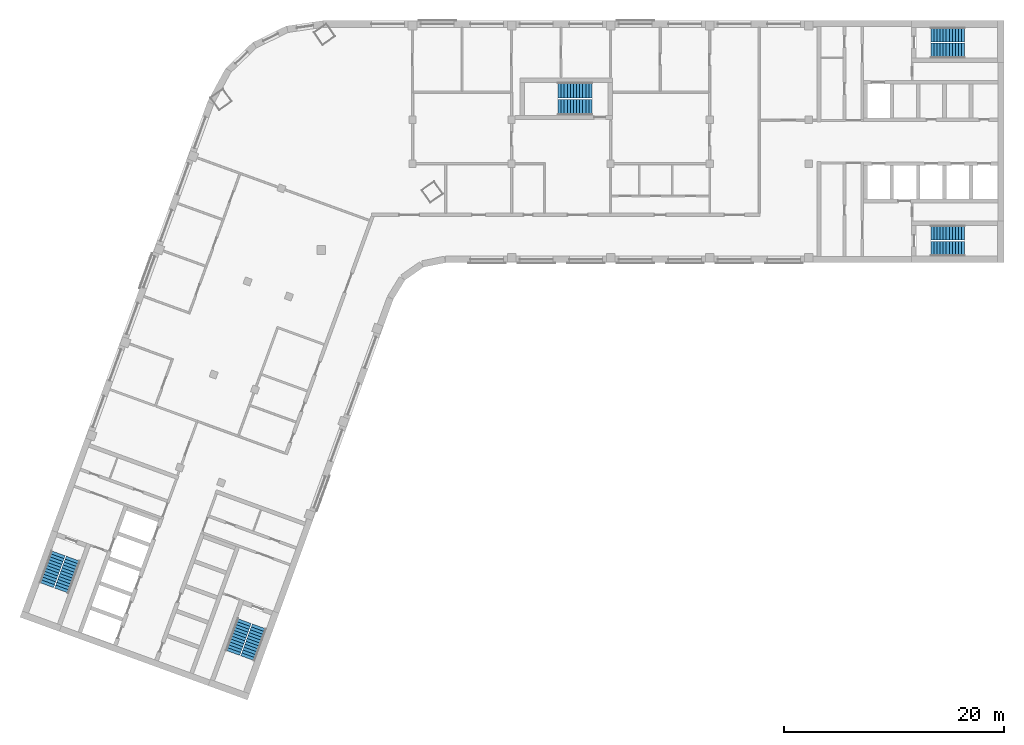
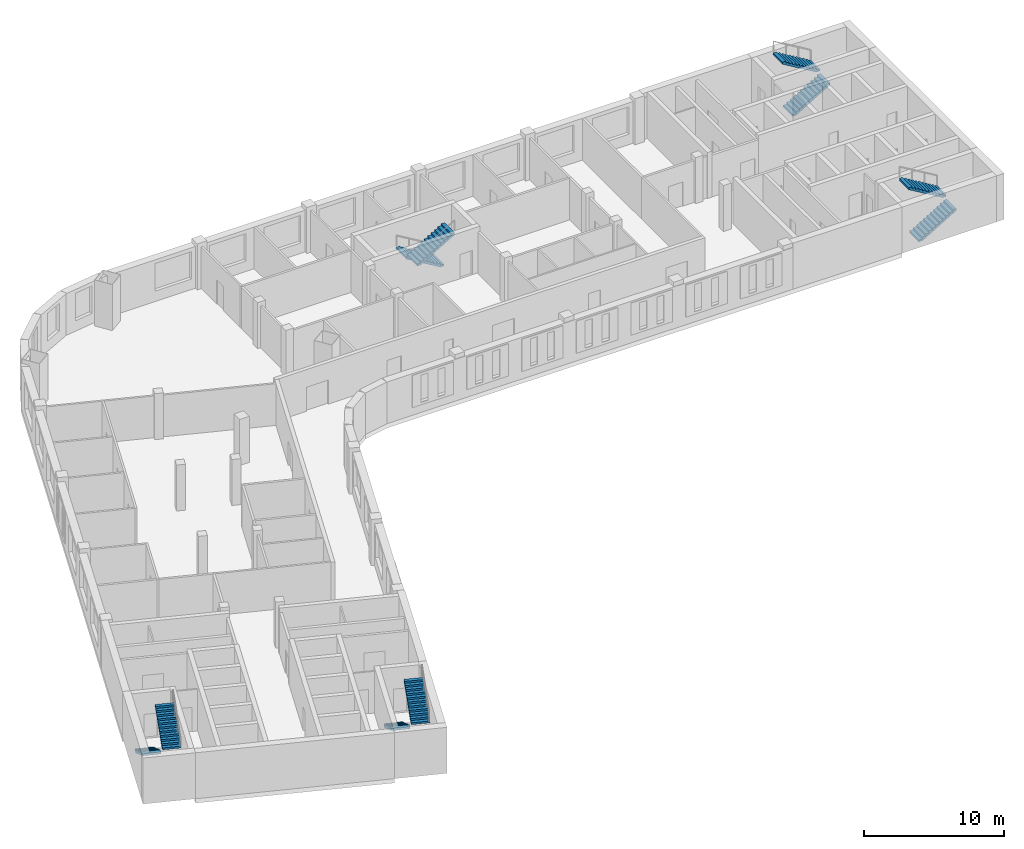
# One storey, part 8 of 9: 10 stair flights, 5 elements without a shape of their own.
"""IFC4 building model written with IfcOpenShell, lengths in metres."""

from ifc_helpers import new_model, si_unit, direction, frame, origin, place, context, subcontext, project, spatial, polyline, outline, extrude, material, type_object, element, aggregate, save


model = new_model("IFC4")

# Units and contexts
model_context = context("Model", 3, precision=1e-05, world=origin(), true_north=direction((0.0, 1.0)))
body_context = subcontext(model_context, "Body", "Model", "MODEL_VIEW")
ifc_project = project(units=[si_unit("LENGTHUNIT", "METRE"), si_unit("AREAUNIT", "SQUARE_METRE"), si_unit("VOLUMEUNIT", "CUBIC_METRE"), si_unit("PLANEANGLEUNIT", "RADIAN"), si_unit("MASSUNIT", "GRAM", prefix="KILO")], contexts=[model_context])

# Site, building, storey
site_placement = place(None, origin())
site = spatial("IfcSite", under=ifc_project, at=site_placement, CompositionType="ELEMENT")
building_placement = place(site_placement, origin())
building = spatial("IfcBuilding", under=site, at=building_placement, Name="Skarvind Civic Tower", CompositionType="ELEMENT")
storey_placement = place(building_placement, frame((0.0, 0.0, 158.5)))
storey = spatial("IfcBuildingStorey", under=building, at=storey_placement, Name="L37", CompositionType="ELEMENT", Elevation=158.5)

# Stair, stair flights
ifc_material = material(Name="Concrete C40/50", Category="concrete")
stair_type_1 = type_object("IfcStairType", Name="Exit stair 1450, half-turn, concrete", PredefinedType="HALF_TURN_STAIR", material=ifc_material)
stair_1_placement = place(storey_placement, origin())
stair_1 = element("IfcStair", 1, at=stair_1_placement, inside=storey, type_object=stair_type_1, Name="Exit stair CM", PredefinedType="HALF_TURN_STAIR")
stair_flight_type_1 = type_object("IfcStairFlightType", Name="Stair flight 1450, concrete", PredefinedType="STRAIGHT", material=ifc_material)
stair_flight_1_placement = place(storey_placement, frame((70.550048828125, 132.675048828125, 0.0), z_axis=(0.0, 0.0, 1.0), x_axis=(-1.0, 0.0, 0.0)))
stair_flight_1 = element("IfcStairFlight", 2, at=stair_flight_1_placement, type_object=stair_flight_type_1, Name="ST-CM flight 1", NumberOfRisers=12, NumberOfTreads=11, PredefinedType="STRAIGHT", RiserHeight=0.166666667, TreadLength=0.28, context=body_context, shape_type="SweptSolid", body=[
    extrude(outline(polyline([(0.0, 0.0), (0.0, 0.166748046875), (0.280029296875, 0.166748046875), (0.280029296875, 0.333251953125), (0.56005859375, 0.333251953125), (0.56005859375, 0.5), (0.840087890625, 0.5), (0.840087890625, 0.666748046875), (1.1201171875, 0.666748046875), (1.1201171875, 0.833251953125), (1.39990234375, 0.833251953125), (1.39990234375, 1.0), (1.679931640625, 1.0), (1.679931640625, 1.166748046875), (1.9599609375, 1.166748046875), (1.9599609375, 1.333251953125), (2.239990234375, 1.333251953125), (2.239990234375, 1.5), (2.52001953125, 1.5), (2.52001953125, 1.666748046875), (2.800048828125, 1.666748046875), (2.800048828125, 1.833251953125), (3.080078125, 1.833251953125), (3.080078125, 2.0), (3.080078125, 1.658935546875), (0.29296875, 0.0), (0.0, 0.0)])), frame((0.0, 0.72509765625, 0.0), z_axis=(0.0, -1.0, 0.0), x_axis=(1.0, 0.0, 0.0)), (0.0, 0.0, 1.0), 1.449951171875),
])
stair_flight_2_placement = place(storey_placement, frame((67.469970703125, 131.125, 2.0), z_axis=(0.0, 0.0, 1.0), x_axis=(1.0, 0.0, 0.0)))
stair_flight_2 = element("IfcStairFlight", 3, at=stair_flight_2_placement, type_object=stair_flight_type_1, Name="ST-CM flight 2", NumberOfRisers=12, NumberOfTreads=11, PredefinedType="STRAIGHT", RiserHeight=0.166666667, TreadLength=0.28, context=body_context, shape_type="SweptSolid", body=[
    extrude(outline(polyline([(0.0, 0.0), (0.0, 0.166748046875), (0.280029296875, 0.166748046875), (0.280029296875, 0.333251953125), (0.56005859375, 0.333251953125), (0.56005859375, 0.5), (0.840087890625, 0.5), (0.840087890625, 0.666748046875), (1.1201171875, 0.666748046875), (1.1201171875, 0.833251953125), (1.39990234375, 0.833251953125), (1.39990234375, 1.0), (1.679931640625, 1.0), (1.679931640625, 1.166748046875), (1.9599609375, 1.166748046875), (1.9599609375, 1.333251953125), (2.239990234375, 1.333251953125), (2.239990234375, 1.5), (2.52001953125, 1.5), (2.52001953125, 1.666748046875), (2.800048828125, 1.666748046875), (2.800048828125, 1.833251953125), (3.080078125, 1.833251953125), (3.080078125, 2.0), (3.080078125, 1.658935546875), (0.29296875, 0.0), (0.0, 0.0)])), frame((0.0, 0.72509765625, 0.0), z_axis=(0.0, -1.0, 0.0), x_axis=(1.0, 0.0, 0.0)), (0.0, 0.0, 1.0), 1.449951171875),
])
aggregate(stair_1, [stair_flight_1, stair_flight_2])

stair_type_2 = type_object("IfcStairType", Name="Exit stair, half-turn, concrete", PredefinedType="HALF_TURN_STAIR", material=ifc_material)
stair_2_placement = place(storey_placement, origin())
stair_2 = element("IfcStair", 4, at=stair_2_placement, inside=storey, type_object=stair_type_2, Name="Exit stair C1S", PredefinedType="HALF_TURN_STAIR")
stair_flight_type_2 = type_object("IfcStairFlightType", Name="Stair flight, concrete", PredefinedType="STRAIGHT", material=ifc_material)
stair_flight_3_placement = place(storey_placement, frame((101.35009765625, 136.27490234375, 0.0), z_axis=(0.0, 0.0, 1.0), x_axis=(1.0, 0.0, 0.0)))
stair_flight_3 = element("IfcStairFlight", 5, at=stair_flight_3_placement, type_object=stair_flight_type_2, Name="ST-C1S flight 1", NumberOfRisers=12, NumberOfTreads=11, PredefinedType="STRAIGHT", RiserHeight=0.166666667, TreadLength=0.28, context=body_context, shape_type="SweptSolid", body=[
    extrude(outline(polyline([(0.0, 0.0), (0.0, 0.166748046875), (0.280029296875, 0.166748046875), (0.280029296875, 0.333251953125), (0.56005859375, 0.333251953125), (0.56005859375, 0.5), (0.840087890625, 0.5), (0.840087890625, 0.666748046875), (1.1201171875, 0.666748046875), (1.1201171875, 0.833251953125), (1.39990234375, 0.833251953125), (1.39990234375, 1.0), (1.679931640625, 1.0), (1.679931640625, 1.166748046875), (1.9599609375, 1.166748046875), (1.9599609375, 1.333251953125), (2.239990234375, 1.333251953125), (2.239990234375, 1.5), (2.52001953125, 1.5), (2.52001953125, 1.666748046875), (2.800048828125, 1.666748046875), (2.800048828125, 1.833251953125), (3.080078125, 1.833251953125), (3.080078125, 2.0), (3.080078125, 1.658935546875), (0.29296875, 0.0), (0.0, 0.0)])), frame((0.0, 0.675048828125, 0.0), z_axis=(0.0, -1.0, 0.0), x_axis=(1.0, 0.0, 0.0)), (0.0, 0.0, 1.0), 1.35009765625),
])
stair_flight_4_placement = place(storey_placement, frame((104.429931640625, 137.72509765625, 2.0), z_axis=(0.0, 0.0, 1.0), x_axis=(-1.0, 0.0, 0.0)))
stair_flight_4 = element("IfcStairFlight", 6, at=stair_flight_4_placement, type_object=stair_flight_type_2, Name="ST-C1S flight 2", NumberOfRisers=12, NumberOfTreads=11, PredefinedType="STRAIGHT", RiserHeight=0.166666667, TreadLength=0.28, context=body_context, shape_type="SweptSolid", body=[
    extrude(outline(polyline([(0.0, 0.0), (0.0, 0.166748046875), (0.280029296875, 0.166748046875), (0.280029296875, 0.333251953125), (0.56005859375, 0.333251953125), (0.56005859375, 0.5), (0.840087890625, 0.5), (0.840087890625, 0.666748046875), (1.1201171875, 0.666748046875), (1.1201171875, 0.833251953125), (1.39990234375, 0.833251953125), (1.39990234375, 1.0), (1.679931640625, 1.0), (1.679931640625, 1.166748046875), (1.9599609375, 1.166748046875), (1.9599609375, 1.333251953125), (2.239990234375, 1.333251953125), (2.239990234375, 1.5), (2.52001953125, 1.5), (2.52001953125, 1.666748046875), (2.800048828125, 1.666748046875), (2.800048828125, 1.833251953125), (3.080078125, 1.833251953125), (3.080078125, 2.0), (3.080078125, 1.658935546875), (0.29296875, 0.0), (0.0, 0.0)])), frame((0.0, 0.675048828125, 0.0), z_axis=(0.0, -1.0, 0.0), x_axis=(1.0, 0.0, 0.0)), (0.0, 0.0, 1.0), 1.35009765625),
])
aggregate(stair_2, [stair_flight_3, stair_flight_4])

stair_3_placement = place(storey_placement, origin())
stair_3 = element("IfcStair", 7, at=stair_3_placement, inside=storey, type_object=stair_type_2, Name="Exit stair C1N", PredefinedType="HALF_TURN_STAIR")
stair_flight_5_placement = place(storey_placement, frame((101.35009765625, 118.27490234375, 0.0), z_axis=(0.0, 0.0, 1.0), x_axis=(1.0, 0.0, 0.0)))
stair_flight_5 = element("IfcStairFlight", 8, at=stair_flight_5_placement, type_object=stair_flight_type_2, Name="ST-C1N flight 1", NumberOfRisers=12, NumberOfTreads=11, PredefinedType="STRAIGHT", RiserHeight=0.166666667, TreadLength=0.28, context=body_context, shape_type="SweptSolid", body=[
    extrude(outline(polyline([(0.0, 0.0), (0.0, 0.166748046875), (0.280029296875, 0.166748046875), (0.280029296875, 0.333251953125), (0.56005859375, 0.333251953125), (0.56005859375, 0.5), (0.840087890625, 0.5), (0.840087890625, 0.666748046875), (1.1201171875, 0.666748046875), (1.1201171875, 0.833251953125), (1.39990234375, 0.833251953125), (1.39990234375, 1.0), (1.679931640625, 1.0), (1.679931640625, 1.166748046875), (1.9599609375, 1.166748046875), (1.9599609375, 1.333251953125), (2.239990234375, 1.333251953125), (2.239990234375, 1.5), (2.52001953125, 1.5), (2.52001953125, 1.666748046875), (2.800048828125, 1.666748046875), (2.800048828125, 1.833251953125), (3.080078125, 1.833251953125), (3.080078125, 2.0), (3.080078125, 1.658935546875), (0.29296875, 0.0), (0.0, 0.0)])), frame((0.0, 0.675048828125, 0.0), z_axis=(0.0, -1.0, 0.0), x_axis=(1.0, 0.0, 0.0)), (0.0, 0.0, 1.0), 1.35009765625),
])
stair_flight_6_placement = place(storey_placement, frame((104.429931640625, 119.72509765625, 2.0), z_axis=(0.0, 0.0, 1.0), x_axis=(-1.0, 0.0, 0.0)))
stair_flight_6 = element("IfcStairFlight", 9, at=stair_flight_6_placement, type_object=stair_flight_type_2, Name="ST-C1N flight 2", NumberOfRisers=12, NumberOfTreads=11, PredefinedType="STRAIGHT", RiserHeight=0.166666667, TreadLength=0.28, context=body_context, shape_type="SweptSolid", body=[
    extrude(outline(polyline([(0.0, 0.0), (0.0, 0.166748046875), (0.280029296875, 0.166748046875), (0.280029296875, 0.333251953125), (0.56005859375, 0.333251953125), (0.56005859375, 0.5), (0.840087890625, 0.5), (0.840087890625, 0.666748046875), (1.1201171875, 0.666748046875), (1.1201171875, 0.833251953125), (1.39990234375, 0.833251953125), (1.39990234375, 1.0), (1.679931640625, 1.0), (1.679931640625, 1.166748046875), (1.9599609375, 1.166748046875), (1.9599609375, 1.333251953125), (2.239990234375, 1.333251953125), (2.239990234375, 1.5), (2.52001953125, 1.5), (2.52001953125, 1.666748046875), (2.800048828125, 1.666748046875), (2.800048828125, 1.833251953125), (3.080078125, 1.833251953125), (3.080078125, 2.0), (3.080078125, 1.658935546875), (0.29296875, 0.0), (0.0, 0.0)])), frame((0.0, 0.675048828125, 0.0), z_axis=(0.0, -1.0, 0.0), x_axis=(1.0, 0.0, 0.0)), (0.0, 0.0, 1.0), 1.35009765625),
])
aggregate(stair_3, [stair_flight_5, stair_flight_6])

stair_4_placement = place(storey_placement, origin())
stair_4 = element("IfcStair", 10, at=stair_4_placement, inside=storey, type_object=stair_type_2, Name="Exit stair C2S", PredefinedType="HALF_TURN_STAIR")
stair_flight_7_placement = place(storey_placement, frame((38.949462890625, 84.43408203125, 0.0), z_axis=(0.0, 0.0, 1.0), x_axis=(-0.342020143326, -0.939692620786, 0.0)))
stair_flight_7 = element("IfcStairFlight", 11, at=stair_flight_7_placement, type_object=stair_flight_type_2, Name="ST-C2S flight 1", NumberOfRisers=12, NumberOfTreads=11, PredefinedType="STRAIGHT", RiserHeight=0.166666667, TreadLength=0.28, context=body_context, shape_type="SweptSolid", body=[
    extrude(outline(polyline([(0.0, 0.0), (0.0, 0.166748046875), (0.280029296875, 0.166748046875), (0.280029296875, 0.333251953125), (0.56005859375, 0.333251953125), (0.56005859375, 0.5), (0.840087890625, 0.5), (0.840087890625, 0.666748046875), (1.1201171875, 0.666748046875), (1.1201171875, 0.833251953125), (1.39990234375, 0.833251953125), (1.39990234375, 1.0), (1.679931640625, 1.0), (1.679931640625, 1.166748046875), (1.9599609375, 1.166748046875), (1.9599609375, 1.333251953125), (2.239990234375, 1.333251953125), (2.239990234375, 1.5), (2.52001953125, 1.5), (2.52001953125, 1.666748046875), (2.800048828125, 1.666748046875), (2.800048828125, 1.833251953125), (3.080078125, 1.833251953125), (3.080078125, 2.0), (3.080078125, 1.658935546875), (0.29296875, 0.0), (0.0, 0.0)])), frame((0.0, 0.675048828125, 0.0), z_axis=(0.0, -1.0, 0.0), x_axis=(1.0, 0.0, 0.0)), (0.0, 0.0, 1.0), 1.35009765625),
])
stair_flight_8_placement = place(storey_placement, frame((39.258544921875, 81.0439453125, 2.0), z_axis=(0.0, 0.0, 1.0), x_axis=(0.342020143326, 0.939692620786, 0.0)))
stair_flight_8 = element("IfcStairFlight", 12, at=stair_flight_8_placement, type_object=stair_flight_type_2, Name="ST-C2S flight 2", NumberOfRisers=12, NumberOfTreads=11, PredefinedType="STRAIGHT", RiserHeight=0.166666667, TreadLength=0.28, context=body_context, shape_type="SweptSolid", body=[
    extrude(outline(polyline([(0.0, 0.0), (0.0, 0.166748046875), (0.280029296875, 0.166748046875), (0.280029296875, 0.333251953125), (0.56005859375, 0.333251953125), (0.56005859375, 0.5), (0.840087890625, 0.5), (0.840087890625, 0.666748046875), (1.1201171875, 0.666748046875), (1.1201171875, 0.833251953125), (1.39990234375, 0.833251953125), (1.39990234375, 1.0), (1.679931640625, 1.0), (1.679931640625, 1.166748046875), (1.9599609375, 1.166748046875), (1.9599609375, 1.333251953125), (2.239990234375, 1.333251953125), (2.239990234375, 1.5), (2.52001953125, 1.5), (2.52001953125, 1.666748046875), (2.800048828125, 1.666748046875), (2.800048828125, 1.833251953125), (3.080078125, 1.833251953125), (3.080078125, 2.0), (3.080078125, 1.658935546875), (0.29296875, 0.0), (0.0, 0.0)])), frame((0.0, 0.675048828125, 0.0), z_axis=(0.0, -1.0, 0.0), x_axis=(1.0, 0.0, 0.0)), (0.0, 0.0, 1.0), 1.35009765625),
])
aggregate(stair_4, [stair_flight_7, stair_flight_8])

stair_5_placement = place(storey_placement, origin())
stair_5 = element("IfcStair", 13, at=stair_5_placement, inside=storey, type_object=stair_type_2, Name="Exit stair C2N", PredefinedType="HALF_TURN_STAIR")
stair_flight_9_placement = place(storey_placement, frame((22.034912109375, 90.590576171875, 0.0), z_axis=(0.0, 0.0, 1.0), x_axis=(-0.342020143326, -0.939692620786, 0.0)))
stair_flight_9 = element("IfcStairFlight", 14, at=stair_flight_9_placement, type_object=stair_flight_type_2, Name="ST-C2N flight 1", NumberOfRisers=12, NumberOfTreads=11, PredefinedType="STRAIGHT", RiserHeight=0.166666667, TreadLength=0.28, context=body_context, shape_type="SweptSolid", body=[
    extrude(outline(polyline([(0.0, 0.0), (0.0, 0.166748046875), (0.280029296875, 0.166748046875), (0.280029296875, 0.333251953125), (0.56005859375, 0.333251953125), (0.56005859375, 0.5), (0.840087890625, 0.5), (0.840087890625, 0.666748046875), (1.1201171875, 0.666748046875), (1.1201171875, 0.833251953125), (1.39990234375, 0.833251953125), (1.39990234375, 1.0), (1.679931640625, 1.0), (1.679931640625, 1.166748046875), (1.9599609375, 1.166748046875), (1.9599609375, 1.333251953125), (2.239990234375, 1.333251953125), (2.239990234375, 1.5), (2.52001953125, 1.5), (2.52001953125, 1.666748046875), (2.800048828125, 1.666748046875), (2.800048828125, 1.833251953125), (3.080078125, 1.833251953125), (3.080078125, 2.0), (3.080078125, 1.658935546875), (0.29296875, 0.0), (0.0, 0.0)])), frame((0.0, 0.675048828125, 0.0), z_axis=(0.0, -1.0, 0.0), x_axis=(1.0, 0.0, 0.0)), (0.0, 0.0, 1.0), 1.35009765625),
])
stair_flight_10_placement = place(storey_placement, frame((22.343994140625, 87.2001953125, 2.0), z_axis=(0.0, 0.0, 1.0), x_axis=(0.342020143326, 0.939692620786, 0.0)))
stair_flight_10 = element("IfcStairFlight", 15, at=stair_flight_10_placement, type_object=stair_flight_type_2, Name="ST-C2N flight 2", NumberOfRisers=12, NumberOfTreads=11, PredefinedType="STRAIGHT", RiserHeight=0.166666667, TreadLength=0.28, context=body_context, shape_type="SweptSolid", body=[
    extrude(outline(polyline([(0.0, 0.0), (0.0, 0.166748046875), (0.280029296875, 0.166748046875), (0.280029296875, 0.333251953125), (0.56005859375, 0.333251953125), (0.56005859375, 0.5), (0.840087890625, 0.5), (0.840087890625, 0.666748046875), (1.1201171875, 0.666748046875), (1.1201171875, 0.833251953125), (1.39990234375, 0.833251953125), (1.39990234375, 1.0), (1.679931640625, 1.0), (1.679931640625, 1.166748046875), (1.9599609375, 1.166748046875), (1.9599609375, 1.333251953125), (2.239990234375, 1.333251953125), (2.239990234375, 1.5), (2.52001953125, 1.5), (2.52001953125, 1.666748046875), (2.800048828125, 1.666748046875), (2.800048828125, 1.833251953125), (3.080078125, 1.833251953125), (3.080078125, 2.0), (3.080078125, 1.658935546875), (0.29296875, 0.0), (0.0, 0.0)])), frame((0.0, 0.675048828125, 0.0), z_axis=(0.0, -1.0, 0.0), x_axis=(1.0, 0.0, 0.0)), (0.0, 0.0, 1.0), 1.35009765625),
])
aggregate(stair_5, [stair_flight_9, stair_flight_10])

save(model, "model.ifc")
